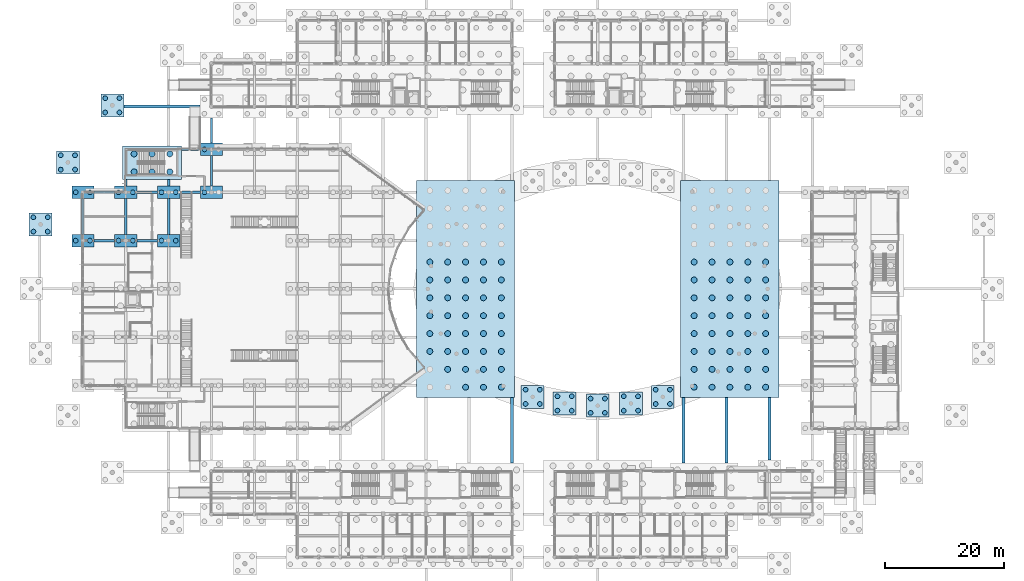
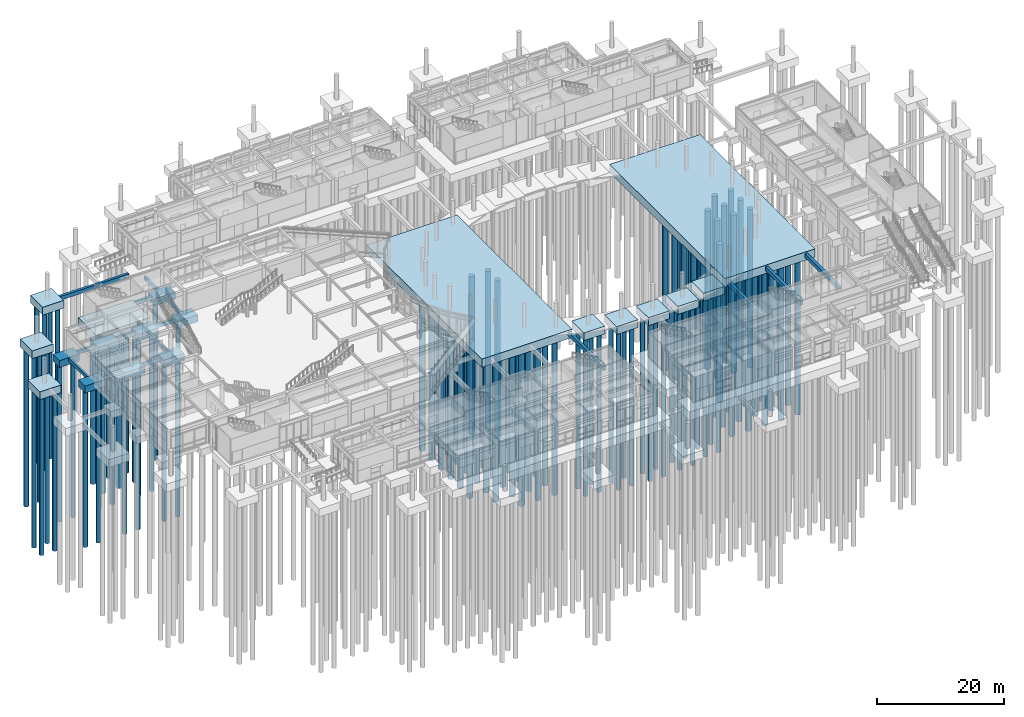
# One storey, part 4 of 103: 129 piles, 37 footings.
"""IFC4 building model written with IfcOpenShell, lengths in metres."""

from ifc_helpers import new_model, si_unit, direction, frame, origin, origin_2d, place, context, subcontext, project, spatial, rectangle, circle, extrude, material, layer, layer_set, material_profile, profile_set, type_object, element, save


model = new_model("IFC4")

# Units and contexts
model_context = context("Model", 3, precision=1e-05, world=origin(), true_north=direction((0.0, 1.0)))
body_context = subcontext(model_context, "Body", "Model", "MODEL_VIEW")
ifc_project = project(units=[si_unit("LENGTHUNIT", "METRE"), si_unit("AREAUNIT", "SQUARE_METRE"), si_unit("VOLUMEUNIT", "CUBIC_METRE"), si_unit("PLANEANGLEUNIT", "RADIAN"), si_unit("MASSUNIT", "GRAM", prefix="KILO")], contexts=[model_context])

# Site, building, storey
site_placement = place(None, origin())
site = spatial("IfcSite", under=ifc_project, at=site_placement, CompositionType="ELEMENT")
building_placement = place(site_placement, origin())
building = spatial("IfcBuilding", under=site, at=building_placement, Name="Namkhue Oval Health Centre", CompositionType="ELEMENT")
storey_placement = place(building_placement, origin())
storey = spatial("IfcBuildingStorey", under=building, at=storey_placement, Name="L00", CompositionType="ELEMENT", Elevation=0.0)

# Footings
ifc_material_1 = material(Name="Reinforced concrete C30/37 (TCVN B35)", Category="concrete")
ifc_layer_1 = layer(ifc_material_1, 1.60009765625)
ifc_layer_set_1 = layer_set([ifc_layer_1], Name="Reinforced concrete C30/37 (TCVN B35)")
footing_type_1 = type_object("IfcFootingType", Name="BORED PILE CAP 16500X36400X1600", PredefinedType="PILE_CAP", material=ifc_layer_set_1)
for number, where, z_axis, x_axis, name in (
    (1, (78.623779296875, 59.39990234375, -1.60009765625), (0.0, 0.0, 1.0), (1.0, 0.0, 0.0), "Reinforced Concrete Pile Cap 43"),
    (2, (122.976318359375, 59.39990234375, -1.60009765625), (0.0, 0.0, 1.0), (1.0, 0.0, 0.0), "Reinforced Concrete Pile Cap 44"),
):
    element("IfcFooting", number, at=place(storey_placement, frame(where, z_axis=z_axis, x_axis=x_axis)), inside=storey, type_object=footing_type_1, Name=name, PredefinedType="PILE_CAP", context=body_context, shape_type="SweptSolid", body=[
        extrude(rectangle(XDim=16.5, YDim=36.39990234375, at=origin_2d()), origin(), (0.0, 0.0, 1.0), 1.60009765625),
    ])
ifc_layer_2 = layer(ifc_material_1, 1.35009765625)
ifc_layer_set_2 = layer_set([ifc_layer_2], Name="Reinforced concrete C30/37 (TCVN B35)")
footing_type_2 = type_object("IfcFootingType", Name="BORED PILE CAP 3700X2100X1350", PredefinedType="PILE_CAP", material=ifc_layer_set_2)
for number, where, z_axis, x_axis, name in (
    (3, (14.39990234375, 67.5, -1.6201171875), (0.0, 0.0, 1.0), (1.0, 0.0, 0.0), "Reinforced Concrete Pile Cap 74"),
    (4, (14.39990234375, 75.60009765625, -1.6201171875), (0.0, 0.0, 1.0), (1.0, 0.0, 0.0), "Reinforced Concrete Pile Cap 83"),
):
    element("IfcFooting", number, at=place(storey_placement, frame(where, z_axis=z_axis, x_axis=x_axis)), inside=storey, type_object=footing_type_2, Name=name, PredefinedType="PILE_CAP", context=body_context, shape_type="SweptSolid", body=[
        extrude(rectangle(XDim=3.699951171875, YDim=2.10009765625, at=origin_2d()), origin(), (0.0, 0.0, 1.0), 1.35009765625),
    ])
ifc_layer_3 = layer(ifc_material_1, 1.35009765625)
ifc_layer_set_3 = layer_set([ifc_layer_3], Name="Reinforced concrete C30/37 (TCVN B35)")
footing_type_3 = type_object("IfcFootingType", Name="BORED PILE CAP 3750X2100X1350", PredefinedType="PILE_CAP", material=ifc_layer_set_3)
for number, where, z_axis, x_axis, name in (
    (5, (21.60009765625, 67.5, -1.6201171875), (0.0, 0.0, 1.0), (1.0, 0.0, 0.0), "Reinforced Concrete Pile Cap 75"),
    (6, (28.800048828125, 67.5, -1.6201171875), (0.0, 0.0, 1.0), (1.0, 0.0, 0.0), "Reinforced Concrete Pile Cap 76"),
    (7, (21.60009765625, 75.60009765625, -1.6201171875), (0.0, 0.0, 1.0), (1.0, 0.0, 0.0), "Reinforced Concrete Pile Cap 84"),
    (8, (28.800048828125, 75.60009765625, -1.6201171875), (0.0, 0.0, 1.0), (1.0, 0.0, 0.0), "Reinforced Concrete Pile Cap 85"),
    (9, (36.0, 75.60009765625, -1.6201171875), (0.0, 0.0, 1.0), (1.0, 0.0, 0.0), "Reinforced Concrete Pile Cap 86"),
    (10, (36.0, 82.800048828125, -1.6201171875), (0.0, 0.0, 1.0), (1.0, 0.0, 0.0), "Reinforced Concrete Pile Cap 102"),
):
    element("IfcFooting", number, at=place(storey_placement, frame(where, z_axis=z_axis, x_axis=x_axis)), inside=storey, type_object=footing_type_3, Name=name, PredefinedType="PILE_CAP", context=body_context, shape_type="SweptSolid", body=[
        extrude(rectangle(XDim=3.75, YDim=2.10009765625, at=origin_2d()), origin(), (0.0, 0.0, 1.0), 1.35009765625),
    ])
ifc_layer_4 = layer(ifc_material_1, 1.5)
ifc_layer_set_4 = layer_set([ifc_layer_4], Name="Reinforced concrete C30/37 (TCVN B35)")
footing_type_4 = type_object("IfcFootingType", Name="BORED PILE CAP 3850X3850X1500", PredefinedType="PILE_CAP", material=ifc_layer_set_4)
for number, where, z_axis, x_axis, name in (
    (11, (100.800048828125, 39.798095703125, -1.5), (0.0, 0.0, 1.0), (1.0, 0.0, 0.0), "Reinforced Concrete Pile Cap 38"),
    (12, (95.237548828125, 40.174560546875, -1.5), (0.0, 0.0, 1.0), (1.0, 0.0, 0.0), "Reinforced Concrete Pile Cap 39"),
    (13, (106.3623046875, 40.174560546875, -1.5), (0.0, 0.0, 1.0), (1.0, 0.0, 0.0), "Reinforced Concrete Pile Cap 40"),
    (14, (89.888916015625, 41.2900390625, -1.5), (0.0, 0.0, 1.0), (1.0, 0.0, 0.0), "Reinforced Concrete Pile Cap 41"),
    (15, (111.711181640625, 41.2900390625, -1.5), (0.0, 0.0, 1.0), (1.0, 0.0, 0.0), "Reinforced Concrete Pile Cap 42"),
    (16, (7.3095703125, 70.2158203125, -1.5), (0.0, 0.0, 1.0), (1.0, 0.0, 0.0), "Reinforced Concrete Pile Cap 81"),
    (17, (11.8984375, 80.615966796875, -1.5), (0.0, 0.0, 1.0), (1.0, 0.0, 0.0), "Reinforced Concrete Pile Cap 100"),
    (18, (19.350341796875, 90.20068359375, -1.5), (0.0, 0.0, 1.0), (1.0, 0.0, 0.0), "Reinforced Concrete Pile Cap 113"),
):
    element("IfcFooting", number, at=place(storey_placement, frame(where, z_axis=z_axis, x_axis=x_axis)), inside=storey, type_object=footing_type_4, Name=name, PredefinedType="PILE_CAP", context=body_context, shape_type="SweptSolid", body=[
        extrude(rectangle(XDim=3.85009765625, YDim=3.85009765625, at=origin_2d()), origin(), (0.0, 0.0, 1.0), 1.5),
    ])
ifc_layer_5 = layer(ifc_material_1, 1.60009765625)
ifc_layer_set_5 = layer_set([ifc_layer_5], Name="Reinforced concrete C30/37 (TCVN B35)")
footing_type_5 = type_object("IfcFootingType", Name="BORED PILE CAP 9900X5650X1600", PredefinedType="PILE_CAP", material=ifc_layer_set_5)
footing_1_placement = place(storey_placement, frame((26.0, 80.550048828125, -1.8701171875), z_axis=(0.0, 0.0, 1.0), x_axis=(1.0, 0.0, 0.0)))
element("IfcFooting", 19, at=footing_1_placement, inside=storey, type_object=footing_type_5, Name="Reinforced Concrete Pile Cap 99", PredefinedType="PILE_CAP", context=body_context, shape_type="SweptSolid", body=[
    extrude(rectangle(XDim=9.89990234375, YDim=5.64990234375, at=origin_2d()), origin(), (0.0, 0.0, 1.0), 1.60009765625),
])
footing_type_6 = type_object("IfcFootingType", Name="FOUNDATION GROUND BEAM 400X700", PredefinedType="FOOTING_BEAM", material=ifc_material_1)
footing_2_placement = place(storey_placement, frame((17.987548828125, 67.5, -0.97021484375), z_axis=(0.0, 0.0, 1.0), x_axis=(1.0, 0.0, 0.0)))
element("IfcFooting", 20, at=footing_2_placement, inside=storey, type_object=footing_type_6, Name="Foundation Ground Tie Beam X-56", PredefinedType="FOOTING_BEAM", context=body_context, shape_type="SweptSolid", body=[
    extrude(rectangle(XDim=3.47509765625, YDim=0.39990234375, at=origin_2d()), origin(), (0.0, 0.0, 1.0), 0.699951171875),
])
footing_3_placement = place(storey_placement, frame((25.199951171875, 67.5, -0.97021484375), z_axis=(0.0, 0.0, 1.0), x_axis=(1.0, 0.0, 0.0)))
element("IfcFooting", 21, at=footing_3_placement, inside=storey, type_object=footing_type_6, Name="Foundation Ground Tie Beam X-57", PredefinedType="FOOTING_BEAM", context=body_context, shape_type="SweptSolid", body=[
    extrude(rectangle(XDim=3.449951171875, YDim=0.39990234375, at=origin_2d()), origin(), (0.0, 0.0, 1.0), 0.699951171875),
])
footing_4_placement = place(storey_placement, frame((17.987548828125, 75.60009765625, -0.97021484375), z_axis=(0.0, 0.0, 1.0), x_axis=(1.0, 0.0, 0.0)))
element("IfcFooting", 22, at=footing_4_placement, inside=storey, type_object=footing_type_6, Name="Foundation Ground Tie Beam X-63", PredefinedType="FOOTING_BEAM", context=body_context, shape_type="SweptSolid", body=[
    extrude(rectangle(XDim=3.47509765625, YDim=0.39990234375, at=origin_2d()), origin(), (0.0, 0.0, 1.0), 0.699951171875),
])
for number, where, z_axis, x_axis, name in (
    (23, (25.199951171875, 75.60009765625, -0.97021484375), (0.0, 0.0, 1.0), (1.0, 0.0, 0.0), "Foundation Ground Tie Beam X-64"),
    (24, (32.39990234375, 75.60009765625, -0.97021484375), (0.0, 0.0, 1.0), (1.0, 0.0, 0.0), "Foundation Ground Tie Beam X-65"),
):
    element("IfcFooting", number, at=place(storey_placement, frame(where, z_axis=z_axis, x_axis=x_axis)), inside=storey, type_object=footing_type_6, Name=name, PredefinedType="FOOTING_BEAM", context=body_context, shape_type="SweptSolid", body=[
        extrude(rectangle(XDim=3.449951171875, YDim=0.39990234375, at=origin_2d()), origin(), (0.0, 0.0, 1.0), 0.699951171875),
    ])
footing_5_placement = place(storey_placement, frame((32.53759765625, 82.800048828125, -0.97021484375), z_axis=(0.0, 0.0, 1.0), x_axis=(1.0, 0.0, 0.0)))
element("IfcFooting", 25, at=footing_5_placement, inside=storey, type_object=footing_type_6, Name="Foundation Ground Tie Beam X-74", PredefinedType="FOOTING_BEAM", context=body_context, shape_type="SweptSolid", body=[
    extrude(rectangle(XDim=3.175048828125, YDim=0.39990234375, at=origin_2d()), origin(), (0.0, 0.0, 1.0), 0.699951171875),
])
for number, where, z_axis, x_axis, name in (
    (26, (14.39990234375, 71.550048828125, -0.97021484375), (0.0, 0.0, 1.0), (0.0, 1.0, 0.0), "Foundation Ground Tie Beam Y-106"),
    (27, (21.60009765625, 71.550048828125, -0.97021484375), (0.0, 0.0, 1.0), (0.0, 1.0, 0.0), "Foundation Ground Tie Beam Y-111"),
):
    element("IfcFooting", number, at=place(storey_placement, frame(where, z_axis=z_axis, x_axis=x_axis)), inside=storey, type_object=footing_type_6, Name=name, PredefinedType="FOOTING_BEAM", context=body_context, shape_type="SweptSolid", body=[
        extrude(rectangle(XDim=6.0, YDim=0.39990234375, at=origin_2d()), origin(), (0.0, 0.0, 1.0), 0.699951171875),
    ])
footing_6_placement = place(storey_placement, frame((21.60009765625, 77.1875, -0.97021484375), z_axis=(0.0, 0.0, 1.0), x_axis=(0.0, 1.0, 0.0)))
element("IfcFooting", 28, at=footing_6_placement, inside=storey, type_object=footing_type_6, Name="Foundation Ground Tie Beam Y-112", PredefinedType="FOOTING_BEAM", context=body_context, shape_type="SweptSolid", body=[
    extrude(rectangle(XDim=1.074951171875, YDim=0.39990234375, at=origin_2d()), origin(), (0.0, 0.0, 1.0), 0.699951171875),
])
footing_7_placement = place(storey_placement, frame((28.800048828125, 71.550048828125, -0.97021484375), z_axis=(0.0, 0.0, 1.0), x_axis=(0.0, 1.0, 0.0)))
element("IfcFooting", 29, at=footing_7_placement, inside=storey, type_object=footing_type_6, Name="Foundation Ground Tie Beam Y-118", PredefinedType="FOOTING_BEAM", context=body_context, shape_type="SweptSolid", body=[
    extrude(rectangle(XDim=6.0, YDim=0.39990234375, at=origin_2d()), origin(), (0.0, 0.0, 1.0), 0.699951171875),
])
footing_8_placement = place(storey_placement, frame((28.800048828125, 77.1875, -0.97021484375), z_axis=(0.0, 0.0, 1.0), x_axis=(0.0, 1.0, 0.0)))
element("IfcFooting", 30, at=footing_8_placement, inside=storey, type_object=footing_type_6, Name="Foundation Ground Tie Beam Y-119", PredefinedType="FOOTING_BEAM", context=body_context, shape_type="SweptSolid", body=[
    extrude(rectangle(XDim=1.074951171875, YDim=0.39990234375, at=origin_2d()), origin(), (0.0, 0.0, 1.0), 0.699951171875),
])
footing_9_placement = place(storey_placement, frame((36.0, 79.199951171875, -0.97021484375), z_axis=(0.0, 0.0, 1.0), x_axis=(0.0, 1.0, 0.0)))
element("IfcFooting", 31, at=footing_9_placement, inside=storey, type_object=footing_type_6, Name="Foundation Ground Tie Beam Y-124", PredefinedType="FOOTING_BEAM", context=body_context, shape_type="SweptSolid", body=[
    extrude(rectangle(XDim=5.10009765625, YDim=0.39990234375, at=origin_2d()), origin(), (0.0, 0.0, 1.0), 0.699951171875),
])
footing_10_placement = place(storey_placement, frame((36.0, 85.96240234375, -0.97021484375), z_axis=(0.0, 0.0, 1.0), x_axis=(0.0, 1.0, 0.0)))
element("IfcFooting", 32, at=footing_10_placement, inside=storey, type_object=footing_type_6, Name="Foundation Ground Tie Beam Y-125", PredefinedType="FOOTING_BEAM", context=body_context, shape_type="SweptSolid", body=[
    extrude(rectangle(XDim=4.22509765625, YDim=0.39990234375, at=origin_2d()), origin(), (0.0, 0.0, 1.0), 0.699951171875),
])
footing_type_7 = type_object("IfcFootingType", Name="FOUNDATION GROUND BEAM 450X750", PredefinedType="FOOTING_BEAM", material=ifc_material_1)
footing_11_placement = place(storey_placement, frame((27.67529296875, 90.0, -1.010009765625), z_axis=(0.0, 0.0, 1.0), x_axis=(1.0, 0.0, 0.0)))
element("IfcFooting", 33, at=footing_11_placement, inside=storey, type_object=footing_type_7, Name="Foundation Ground Tie Beam X-78", PredefinedType="FOOTING_BEAM", context=body_context, shape_type="SweptSolid", body=[
    extrude(rectangle(XDim=12.7998046875, YDim=0.449951171875, at=origin_2d()), origin(), (0.0, 0.0, 1.0), 0.75),
])
footing_type_8 = type_object("IfcFootingType", Name="FOUNDATION GROUND BEAM 500X800", PredefinedType="FOOTING_BEAM", material=ifc_material_1)
for number, where, z_axis, x_axis, name in (
    (34, (86.39990234375, 35.6875, -1.0849609375), (0.0, 0.0, 1.0), (0.0, 1.0, 0.0), "Foundation Ground Tie Beam Y-175"),
    (35, (115.199951171875, 35.6875, -1.0751953125), (0.0, 0.0, 1.0), (0.0, 1.0, 0.0), "Foundation Ground Tie Beam Y-190"),
    (36, (122.39990234375, 35.6875, -1.0751953125), (0.0, 0.0, 1.0), (0.0, 1.0, 0.0), "Foundation Ground Tie Beam Y-194"),
):
    element("IfcFooting", number, at=place(storey_placement, frame(where, z_axis=z_axis, x_axis=x_axis)), inside=storey, type_object=footing_type_8, Name=name, PredefinedType="FOOTING_BEAM", context=body_context, shape_type="SweptSolid", body=[
        extrude(rectangle(XDim=11.02490234375, YDim=0.5, at=origin_2d()), origin(), (0.0, 0.0, 1.0), 0.800048828125),
    ])
footing_12_placement = place(storey_placement, frame((129.60009765625, 35.96240234375, -1.0751953125), z_axis=(0.0, 0.0, 1.0), x_axis=(0.0, 1.0, 0.0)))
element("IfcFooting", 37, at=footing_12_placement, inside=storey, type_object=footing_type_8, Name="Foundation Ground Tie Beam Y-198", PredefinedType="FOOTING_BEAM", context=body_context, shape_type="SweptSolid", body=[
    extrude(rectangle(XDim=10.47509765625, YDim=0.5, at=origin_2d()), origin(), (0.0, 0.0, 1.0), 0.800048828125),
])

# Piles
ifc_material_2 = material(Name="Reinforced concrete C25/30 (TCVN B30)", Category="concrete")
ifc_material_profile_1 = material_profile(ifc_material_2, circle(Radius=0.5, at=origin_2d()), Name="BORED PILE D1000")
ifc_profile_set_1 = profile_set([ifc_material_profile_1], Name="Reinforced concrete C25/30 (TCVN B30)")
pile_type_1 = type_object("IfcPileType", Name="RC BORED PILE D1000", PredefinedType="BORED", material=ifc_profile_set_1)
for number, where, z_axis, x_axis, name in (
    (38, (72.623779296875, 48.89990234375, -1.47998046875), (0.0, 0.0, -1.0), (1.0, 0.0, 0.0), "Bored Pile 43-1.3"),
    (39, (72.623779296875, 51.89990234375, -1.47998046875), (0.0, 0.0, -1.0), (1.0, 0.0, 0.0), "Bored Pile 43-1.4"),
    (40, (72.623779296875, 54.89990234375, -1.47998046875), (0.0, 0.0, -1.0), (1.0, 0.0, 0.0), "Bored Pile 43-1.5"),
    (41, (72.623779296875, 57.89990234375, -1.47998046875), (0.0, 0.0, -1.0), (1.0, 0.0, 0.0), "Bored Pile 43-1.6"),
    (42, (72.623779296875, 60.89990234375, -1.47998046875), (0.0, 0.0, -1.0), (1.0, 0.0, 0.0), "Bored Pile 43-1.7"),
    (43, (72.623779296875, 63.89990234375, -1.47998046875), (0.0, 0.0, -1.0), (1.0, 0.0, 0.0), "Bored Pile 43-1.8"),
    (44, (75.623779296875, 45.89990234375, -1.47998046875), (0.0, 0.0, -1.0), (1.0, 0.0, 0.0), "Bored Pile 43-2.2"),
    (45, (75.623779296875, 48.89990234375, -1.47998046875), (0.0, 0.0, -1.0), (1.0, 0.0, 0.0), "Bored Pile 43-2.3"),
    (46, (75.623779296875, 51.89990234375, -1.47998046875), (0.0, 0.0, -1.0), (1.0, 0.0, 0.0), "Bored Pile 43-2.4"),
    (47, (75.623779296875, 54.89990234375, -1.47998046875), (0.0, 0.0, -1.0), (1.0, 0.0, 0.0), "Bored Pile 43-2.5"),
    (48, (75.623779296875, 57.89990234375, -1.47998046875), (0.0, 0.0, -1.0), (1.0, 0.0, 0.0), "Bored Pile 43-2.6"),
    (49, (75.623779296875, 60.89990234375, -1.47998046875), (0.0, 0.0, -1.0), (1.0, 0.0, 0.0), "Bored Pile 43-2.7"),
    (50, (75.623779296875, 63.89990234375, -1.47998046875), (0.0, 0.0, -1.0), (1.0, 0.0, 0.0), "Bored Pile 43-2.8"),
    (51, (78.623779296875, 42.89990234375, -1.47998046875), (0.0, 0.0, -1.0), (1.0, 0.0, 0.0), "Bored Pile 43-3.1"),
    (52, (78.623779296875, 45.89990234375, -1.47998046875), (0.0, 0.0, -1.0), (1.0, 0.0, 0.0), "Bored Pile 43-3.2"),
    (53, (78.623779296875, 48.89990234375, -1.47998046875), (0.0, 0.0, -1.0), (1.0, 0.0, 0.0), "Bored Pile 43-3.3"),
    (54, (78.623779296875, 51.89990234375, -1.47998046875), (0.0, 0.0, -1.0), (1.0, 0.0, 0.0), "Bored Pile 43-3.4"),
    (55, (78.623779296875, 54.89990234375, -1.47998046875), (0.0, 0.0, -1.0), (1.0, 0.0, 0.0), "Bored Pile 43-3.5"),
    (56, (78.623779296875, 57.89990234375, -1.47998046875), (0.0, 0.0, -1.0), (1.0, 0.0, 0.0), "Bored Pile 43-3.6"),
    (57, (78.623779296875, 60.89990234375, -1.47998046875), (0.0, 0.0, -1.0), (1.0, 0.0, 0.0), "Bored Pile 43-3.7"),
    (58, (78.623779296875, 63.89990234375, -1.47998046875), (0.0, 0.0, -1.0), (1.0, 0.0, 0.0), "Bored Pile 43-3.8"),
    (59, (81.623779296875, 42.89990234375, -1.47998046875), (0.0, 0.0, -1.0), (1.0, 0.0, 0.0), "Bored Pile 43-4.1"),
    (60, (81.623779296875, 45.89990234375, -1.47998046875), (0.0, 0.0, -1.0), (1.0, 0.0, 0.0), "Bored Pile 43-4.2"),
    (61, (81.623779296875, 48.89990234375, -1.47998046875), (0.0, 0.0, -1.0), (1.0, 0.0, 0.0), "Bored Pile 43-4.3"),
    (62, (81.623779296875, 51.89990234375, -1.47998046875), (0.0, 0.0, -1.0), (1.0, 0.0, 0.0), "Bored Pile 43-4.4"),
    (63, (81.623779296875, 54.89990234375, -1.47998046875), (0.0, 0.0, -1.0), (1.0, 0.0, 0.0), "Bored Pile 43-4.5"),
    (64, (81.623779296875, 57.89990234375, -1.47998046875), (0.0, 0.0, -1.0), (1.0, 0.0, 0.0), "Bored Pile 43-4.6"),
    (65, (81.623779296875, 60.89990234375, -1.47998046875), (0.0, 0.0, -1.0), (1.0, 0.0, 0.0), "Bored Pile 43-4.7"),
    (66, (81.623779296875, 63.89990234375, -1.47998046875), (0.0, 0.0, -1.0), (1.0, 0.0, 0.0), "Bored Pile 43-4.8"),
    (67, (84.623779296875, 42.89990234375, -1.47998046875), (0.0, 0.0, -1.0), (1.0, 0.0, 0.0), "Bored Pile 43-5.1"),
    (68, (84.623779296875, 45.89990234375, -1.47998046875), (0.0, 0.0, -1.0), (1.0, 0.0, 0.0), "Bored Pile 43-5.2"),
    (69, (84.623779296875, 48.89990234375, -1.47998046875), (0.0, 0.0, -1.0), (1.0, 0.0, 0.0), "Bored Pile 43-5.3"),
    (70, (84.623779296875, 51.89990234375, -1.47998046875), (0.0, 0.0, -1.0), (1.0, 0.0, 0.0), "Bored Pile 43-5.4"),
    (71, (84.623779296875, 54.89990234375, -1.47998046875), (0.0, 0.0, -1.0), (1.0, 0.0, 0.0), "Bored Pile 43-5.5"),
    (72, (84.623779296875, 57.89990234375, -1.47998046875), (0.0, 0.0, -1.0), (1.0, 0.0, 0.0), "Bored Pile 43-5.6"),
    (73, (84.623779296875, 60.89990234375, -1.47998046875), (0.0, 0.0, -1.0), (1.0, 0.0, 0.0), "Bored Pile 43-5.7"),
    (74, (84.623779296875, 63.89990234375, -1.47998046875), (0.0, 0.0, -1.0), (1.0, 0.0, 0.0), "Bored Pile 43-5.8"),
    (75, (116.976318359375, 42.89990234375, -1.47998046875), (0.0, 0.0, -1.0), (1.0, 0.0, 0.0), "Bored Pile 44-1.1"),
    (76, (116.976318359375, 45.89990234375, -1.47998046875), (0.0, 0.0, -1.0), (1.0, 0.0, 0.0), "Bored Pile 44-1.2"),
    (77, (116.976318359375, 48.89990234375, -1.47998046875), (0.0, 0.0, -1.0), (1.0, 0.0, 0.0), "Bored Pile 44-1.3"),
    (78, (116.976318359375, 51.89990234375, -1.47998046875), (0.0, 0.0, -1.0), (1.0, 0.0, 0.0), "Bored Pile 44-1.4"),
    (79, (116.976318359375, 54.89990234375, -1.47998046875), (0.0, 0.0, -1.0), (1.0, 0.0, 0.0), "Bored Pile 44-1.5"),
    (80, (116.976318359375, 57.89990234375, -1.47998046875), (0.0, 0.0, -1.0), (1.0, 0.0, 0.0), "Bored Pile 44-1.6"),
    (81, (116.976318359375, 60.89990234375, -1.47998046875), (0.0, 0.0, -1.0), (1.0, 0.0, 0.0), "Bored Pile 44-1.7"),
    (82, (116.976318359375, 63.89990234375, -1.47998046875), (0.0, 0.0, -1.0), (1.0, 0.0, 0.0), "Bored Pile 44-1.8"),
    (83, (119.976318359375, 42.89990234375, -1.47998046875), (0.0, 0.0, -1.0), (1.0, 0.0, 0.0), "Bored Pile 44-2.1"),
    (84, (119.976318359375, 45.89990234375, -1.47998046875), (0.0, 0.0, -1.0), (1.0, 0.0, 0.0), "Bored Pile 44-2.2"),
    (85, (119.976318359375, 48.89990234375, -1.47998046875), (0.0, 0.0, -1.0), (1.0, 0.0, 0.0), "Bored Pile 44-2.3"),
    (86, (119.976318359375, 51.89990234375, -1.47998046875), (0.0, 0.0, -1.0), (1.0, 0.0, 0.0), "Bored Pile 44-2.4"),
    (87, (119.976318359375, 54.89990234375, -1.47998046875), (0.0, 0.0, -1.0), (1.0, 0.0, 0.0), "Bored Pile 44-2.5"),
    (88, (119.976318359375, 57.89990234375, -1.47998046875), (0.0, 0.0, -1.0), (1.0, 0.0, 0.0), "Bored Pile 44-2.6"),
    (89, (119.976318359375, 60.89990234375, -1.47998046875), (0.0, 0.0, -1.0), (1.0, 0.0, 0.0), "Bored Pile 44-2.7"),
    (90, (119.976318359375, 63.89990234375, -1.47998046875), (0.0, 0.0, -1.0), (1.0, 0.0, 0.0), "Bored Pile 44-2.8"),
    (91, (122.976318359375, 42.89990234375, -1.47998046875), (0.0, 0.0, -1.0), (1.0, 0.0, 0.0), "Bored Pile 44-3.1"),
    (92, (122.976318359375, 45.89990234375, -1.47998046875), (0.0, 0.0, -1.0), (1.0, 0.0, 0.0), "Bored Pile 44-3.2"),
    (93, (122.976318359375, 48.89990234375, -1.47998046875), (0.0, 0.0, -1.0), (1.0, 0.0, 0.0), "Bored Pile 44-3.3"),
    (94, (122.976318359375, 51.89990234375, -1.47998046875), (0.0, 0.0, -1.0), (1.0, 0.0, 0.0), "Bored Pile 44-3.4"),
    (95, (122.976318359375, 54.89990234375, -1.47998046875), (0.0, 0.0, -1.0), (1.0, 0.0, 0.0), "Bored Pile 44-3.5"),
    (96, (122.976318359375, 57.89990234375, -1.47998046875), (0.0, 0.0, -1.0), (1.0, 0.0, 0.0), "Bored Pile 44-3.6"),
    (97, (122.976318359375, 60.89990234375, -1.47998046875), (0.0, 0.0, -1.0), (1.0, 0.0, 0.0), "Bored Pile 44-3.7"),
    (98, (122.976318359375, 63.89990234375, -1.47998046875), (0.0, 0.0, -1.0), (1.0, 0.0, 0.0), "Bored Pile 44-3.8"),
    (99, (125.976318359375, 42.89990234375, -1.47998046875), (0.0, 0.0, -1.0), (1.0, 0.0, 0.0), "Bored Pile 44-4.1"),
    (100, (125.976318359375, 45.89990234375, -1.47998046875), (0.0, 0.0, -1.0), (1.0, 0.0, 0.0), "Bored Pile 44-4.2"),
    (101, (125.976318359375, 48.89990234375, -1.47998046875), (0.0, 0.0, -1.0), (1.0, 0.0, 0.0), "Bored Pile 44-4.3"),
    (102, (125.976318359375, 51.89990234375, -1.47998046875), (0.0, 0.0, -1.0), (1.0, 0.0, 0.0), "Bored Pile 44-4.4"),
    (103, (125.976318359375, 54.89990234375, -1.47998046875), (0.0, 0.0, -1.0), (1.0, 0.0, 0.0), "Bored Pile 44-4.5"),
    (104, (125.976318359375, 57.89990234375, -1.47998046875), (0.0, 0.0, -1.0), (1.0, 0.0, 0.0), "Bored Pile 44-4.6"),
    (105, (125.976318359375, 60.89990234375, -1.47998046875), (0.0, 0.0, -1.0), (1.0, 0.0, 0.0), "Bored Pile 44-4.7"),
    (106, (125.976318359375, 63.89990234375, -1.47998046875), (0.0, 0.0, -1.0), (1.0, 0.0, 0.0), "Bored Pile 44-4.8"),
    (107, (128.976318359375, 42.89990234375, -1.47998046875), (0.0, 0.0, -1.0), (1.0, 0.0, 0.0), "Bored Pile 44-5.1"),
    (108, (128.976318359375, 45.89990234375, -1.47998046875), (0.0, 0.0, -1.0), (1.0, 0.0, 0.0), "Bored Pile 44-5.2"),
    (109, (128.976318359375, 48.89990234375, -1.47998046875), (0.0, 0.0, -1.0), (1.0, 0.0, 0.0), "Bored Pile 44-5.3"),
    (110, (128.976318359375, 51.89990234375, -1.47998046875), (0.0, 0.0, -1.0), (1.0, 0.0, 0.0), "Bored Pile 44-5.4"),
    (111, (128.976318359375, 54.89990234375, -1.47998046875), (0.0, 0.0, -1.0), (1.0, 0.0, 0.0), "Bored Pile 44-5.5"),
    (112, (128.976318359375, 57.89990234375, -1.47998046875), (0.0, 0.0, -1.0), (1.0, 0.0, 0.0), "Bored Pile 44-5.6"),
    (113, (128.976318359375, 60.89990234375, -1.47998046875), (0.0, 0.0, -1.0), (1.0, 0.0, 0.0), "Bored Pile 44-5.7"),
    (114, (128.976318359375, 63.89990234375, -1.47998046875), (0.0, 0.0, -1.0), (1.0, 0.0, 0.0), "Bored Pile 44-5.8"),
):
    element("IfcPile", number, at=place(storey_placement, frame(where, z_axis=z_axis, x_axis=x_axis)), inside=storey, type_object=pile_type_1, Name=name, PredefinedType="BORED", context=body_context, shape_type="SweptSolid", body=[
        extrude(circle(Radius=0.5, at=origin_2d()), origin(), (0.0, 0.0, 1.0), 30.52001953125),
    ])
for number, where, z_axis, x_axis, name in (
    (115, (23.0, 79.050048828125, -1.75), (0.0, 0.0, -1.0), (1.0, 0.0, 0.0), "Bored Pile 99-1.1"),
    (116, (23.0, 82.050048828125, -1.75), (0.0, 0.0, -1.0), (1.0, 0.0, 0.0), "Bored Pile 99-1.2"),
    (117, (26.0, 79.050048828125, -1.75), (0.0, 0.0, -1.0), (1.0, 0.0, 0.0), "Bored Pile 99-2.1"),
    (118, (26.0, 82.050048828125, -1.75), (0.0, 0.0, -1.0), (1.0, 0.0, 0.0), "Bored Pile 99-2.2"),
    (119, (29.0, 79.050048828125, -1.75), (0.0, 0.0, -1.0), (1.0, 0.0, 0.0), "Bored Pile 99-3.1"),
    (120, (29.0, 82.050048828125, -1.75), (0.0, 0.0, -1.0), (1.0, 0.0, 0.0), "Bored Pile 99-3.2"),
):
    element("IfcPile", number, at=place(storey_placement, frame(where, z_axis=z_axis, x_axis=x_axis)), inside=storey, type_object=pile_type_1, Name=name, PredefinedType="BORED", context=body_context, shape_type="SweptSolid", body=[
        extrude(circle(Radius=0.5, at=origin_2d()), origin(), (0.0, 0.0, 1.0), 30.25),
    ])
ifc_material_profile_2 = material_profile(ifc_material_2, circle(Radius=0.39990234375, at=origin_2d()), Name="BORED PILE D800")
ifc_profile_set_2 = profile_set([ifc_material_profile_2], Name="Reinforced concrete C25/30 (TCVN B30)")
pile_type_2 = type_object("IfcPileType", Name="RC BORED PILE D800", PredefinedType="BORED", material=ifc_profile_set_2)
for number, where, z_axis, x_axis, name in (
    (121, (99.60009765625, 38.597900390625, -1.3798828125), (0.0, 0.0, -1.0), (1.0, 0.0, 0.0), "Bored Pile 38-1.1"),
    (122, (99.60009765625, 40.998046875, -1.3798828125), (0.0, 0.0, -1.0), (1.0, 0.0, 0.0), "Bored Pile 38-1.2"),
    (123, (102.0, 38.597900390625, -1.3798828125), (0.0, 0.0, -1.0), (1.0, 0.0, 0.0), "Bored Pile 38-2.1"),
    (124, (102.0, 40.998046875, -1.3798828125), (0.0, 0.0, -1.0), (1.0, 0.0, 0.0), "Bored Pile 38-2.2"),
    (125, (94.03759765625, 38.974609375, -1.3798828125), (0.0, 0.0, -1.0), (1.0, 0.0, 0.0), "Bored Pile 39-1.1"),
    (126, (94.03759765625, 41.37451171875, -1.3798828125), (0.0, 0.0, -1.0), (1.0, 0.0, 0.0), "Bored Pile 39-1.2"),
    (127, (96.4375, 38.974609375, -1.3798828125), (0.0, 0.0, -1.0), (1.0, 0.0, 0.0), "Bored Pile 39-2.1"),
    (128, (96.4375, 41.37451171875, -1.3798828125), (0.0, 0.0, -1.0), (1.0, 0.0, 0.0), "Bored Pile 39-2.2"),
    (129, (105.162353515625, 38.974609375, -1.3798828125), (0.0, 0.0, -1.0), (1.0, 0.0, 0.0), "Bored Pile 40-1.1"),
    (130, (105.162353515625, 41.37451171875, -1.3798828125), (0.0, 0.0, -1.0), (1.0, 0.0, 0.0), "Bored Pile 40-1.2"),
    (131, (107.5625, 38.974609375, -1.3798828125), (0.0, 0.0, -1.0), (1.0, 0.0, 0.0), "Bored Pile 40-2.1"),
    (132, (107.5625, 41.37451171875, -1.3798828125), (0.0, 0.0, -1.0), (1.0, 0.0, 0.0), "Bored Pile 40-2.2"),
    (133, (88.68896484375, 40.090087890625, -1.3798828125), (0.0, 0.0, -1.0), (1.0, 0.0, 0.0), "Bored Pile 41-1.1"),
    (134, (88.68896484375, 42.489990234375, -1.3798828125), (0.0, 0.0, -1.0), (1.0, 0.0, 0.0), "Bored Pile 41-1.2"),
    (135, (91.0888671875, 40.090087890625, -1.3798828125), (0.0, 0.0, -1.0), (1.0, 0.0, 0.0), "Bored Pile 41-2.1"),
    (136, (91.0888671875, 42.489990234375, -1.3798828125), (0.0, 0.0, -1.0), (1.0, 0.0, 0.0), "Bored Pile 41-2.2"),
    (137, (110.510986328125, 40.090087890625, -1.3798828125), (0.0, 0.0, -1.0), (1.0, 0.0, 0.0), "Bored Pile 42-1.1"),
    (138, (110.510986328125, 42.489990234375, -1.3798828125), (0.0, 0.0, -1.0), (1.0, 0.0, 0.0), "Bored Pile 42-1.2"),
    (139, (112.9111328125, 40.090087890625, -1.3798828125), (0.0, 0.0, -1.0), (1.0, 0.0, 0.0), "Bored Pile 42-2.1"),
    (140, (112.9111328125, 42.489990234375, -1.3798828125), (0.0, 0.0, -1.0), (1.0, 0.0, 0.0), "Bored Pile 42-2.2"),
):
    element("IfcPile", number, at=place(storey_placement, frame(where, z_axis=z_axis, x_axis=x_axis)), inside=storey, type_object=pile_type_2, Name=name, PredefinedType="BORED", context=body_context, shape_type="SweptSolid", body=[
        extrude(circle(Radius=0.39990234375, at=origin_2d()), origin(), (0.0, 0.0, 1.0), 30.6201171875),
    ])
for number, where, z_axis, x_axis, name in (
    (141, (13.199951171875, 67.5, -1.5), (0.0, 0.0, -1.0), (1.0, 0.0, 0.0), "Bored Pile 74-1.1"),
    (142, (15.60009765625, 67.5, -1.5), (0.0, 0.0, -1.0), (1.0, 0.0, 0.0), "Bored Pile 74-2.1"),
    (143, (20.39990234375, 67.5, -1.5), (0.0, 0.0, -1.0), (1.0, 0.0, 0.0), "Bored Pile 75-1.1"),
    (144, (22.800048828125, 67.5, -1.5), (0.0, 0.0, -1.0), (1.0, 0.0, 0.0), "Bored Pile 75-2.1"),
    (145, (27.60009765625, 67.5, -1.5), (0.0, 0.0, -1.0), (1.0, 0.0, 0.0), "Bored Pile 76-1.1"),
    (146, (30.0, 67.5, -1.5), (0.0, 0.0, -1.0), (1.0, 0.0, 0.0), "Bored Pile 76-2.1"),
):
    element("IfcPile", number, at=place(storey_placement, frame(where, z_axis=z_axis, x_axis=x_axis)), inside=storey, type_object=pile_type_2, Name=name, PredefinedType="BORED", context=body_context, shape_type="SweptSolid", body=[
        extrude(circle(Radius=0.39990234375, at=origin_2d()), origin(), (0.0, 0.0, 1.0), 30.5),
    ])
for number, where, z_axis, x_axis, name in (
    (147, (6.109619140625, 69.015869140625, -1.3798828125), (0.0, 0.0, -1.0), (1.0, 0.0, 0.0), "Bored Pile 81-1.1"),
    (148, (6.109619140625, 71.415771484375, -1.3798828125), (0.0, 0.0, -1.0), (1.0, 0.0, 0.0), "Bored Pile 81-1.2"),
    (149, (8.509521484375, 69.015869140625, -1.3798828125), (0.0, 0.0, -1.0), (1.0, 0.0, 0.0), "Bored Pile 81-2.1"),
    (150, (8.509521484375, 71.415771484375, -1.3798828125), (0.0, 0.0, -1.0), (1.0, 0.0, 0.0), "Bored Pile 81-2.2"),
):
    element("IfcPile", number, at=place(storey_placement, frame(where, z_axis=z_axis, x_axis=x_axis)), inside=storey, type_object=pile_type_2, Name=name, PredefinedType="BORED", context=body_context, shape_type="SweptSolid", body=[
        extrude(circle(Radius=0.39990234375, at=origin_2d()), origin(), (0.0, 0.0, 1.0), 30.6201171875),
    ])
for number, where, z_axis, x_axis, name in (
    (151, (13.199951171875, 75.60009765625, -1.5), (0.0, 0.0, -1.0), (1.0, 0.0, 0.0), "Bored Pile 83-1.1"),
    (152, (15.60009765625, 75.60009765625, -1.5), (0.0, 0.0, -1.0), (1.0, 0.0, 0.0), "Bored Pile 83-2.1"),
    (153, (20.39990234375, 75.60009765625, -1.5), (0.0, 0.0, -1.0), (1.0, 0.0, 0.0), "Bored Pile 84-1.1"),
    (154, (22.800048828125, 75.60009765625, -1.5), (0.0, 0.0, -1.0), (1.0, 0.0, 0.0), "Bored Pile 84-2.1"),
    (155, (27.60009765625, 75.60009765625, -1.5), (0.0, 0.0, -1.0), (1.0, 0.0, 0.0), "Bored Pile 85-1.1"),
    (156, (30.0, 75.60009765625, -1.5), (0.0, 0.0, -1.0), (1.0, 0.0, 0.0), "Bored Pile 85-2.1"),
    (157, (34.800048828125, 75.60009765625, -1.5), (0.0, 0.0, -1.0), (1.0, 0.0, 0.0), "Bored Pile 86-1.1"),
):
    element("IfcPile", number, at=place(storey_placement, frame(where, z_axis=z_axis, x_axis=x_axis)), inside=storey, type_object=pile_type_2, Name=name, PredefinedType="BORED", context=body_context, shape_type="SweptSolid", body=[
        extrude(circle(Radius=0.39990234375, at=origin_2d()), origin(), (0.0, 0.0, 1.0), 30.5),
    ])
for number, where, z_axis, x_axis, name in (
    (158, (10.698486328125, 79.416015625, -1.3798828125), (0.0, 0.0, -1.0), (1.0, 0.0, 0.0), "Bored Pile 100-1.1"),
    (159, (10.698486328125, 81.81591796875, -1.3798828125), (0.0, 0.0, -1.0), (1.0, 0.0, 0.0), "Bored Pile 100-1.2"),
    (160, (13.098388671875, 79.416015625, -1.3798828125), (0.0, 0.0, -1.0), (1.0, 0.0, 0.0), "Bored Pile 100-2.1"),
    (161, (13.098388671875, 81.81591796875, -1.3798828125), (0.0, 0.0, -1.0), (1.0, 0.0, 0.0), "Bored Pile 100-2.2"),
):
    element("IfcPile", number, at=place(storey_placement, frame(where, z_axis=z_axis, x_axis=x_axis)), inside=storey, type_object=pile_type_2, Name=name, PredefinedType="BORED", context=body_context, shape_type="SweptSolid", body=[
        extrude(circle(Radius=0.39990234375, at=origin_2d()), origin(), (0.0, 0.0, 1.0), 30.6201171875),
    ])
pile_placement = place(storey_placement, frame((34.800048828125, 82.800048828125, -1.5), z_axis=(0.0, 0.0, -1.0), x_axis=(1.0, 0.0, 0.0)))
element("IfcPile", 162, at=pile_placement, inside=storey, type_object=pile_type_2, Name="Bored Pile 102-1.1", PredefinedType="BORED", context=body_context, shape_type="SweptSolid", body=[
    extrude(circle(Radius=0.39990234375, at=origin_2d()), origin(), (0.0, 0.0, 1.0), 30.5),
])
for number, where, z_axis, x_axis, name in (
    (163, (18.150390625, 89.000732421875, -1.3798828125), (0.0, 0.0, -1.0), (1.0, 0.0, 0.0), "Bored Pile 113-1.1"),
    (164, (18.150390625, 91.40087890625, -1.3798828125), (0.0, 0.0, -1.0), (1.0, 0.0, 0.0), "Bored Pile 113-1.2"),
    (165, (20.55029296875, 89.000732421875, -1.3798828125), (0.0, 0.0, -1.0), (1.0, 0.0, 0.0), "Bored Pile 113-2.1"),
    (166, (20.55029296875, 91.40087890625, -1.3798828125), (0.0, 0.0, -1.0), (1.0, 0.0, 0.0), "Bored Pile 113-2.2"),
):
    element("IfcPile", number, at=place(storey_placement, frame(where, z_axis=z_axis, x_axis=x_axis)), inside=storey, type_object=pile_type_2, Name=name, PredefinedType="BORED", context=body_context, shape_type="SweptSolid", body=[
        extrude(circle(Radius=0.39990234375, at=origin_2d()), origin(), (0.0, 0.0, 1.0), 30.6201171875),
    ])

save(model, "model.ifc")
